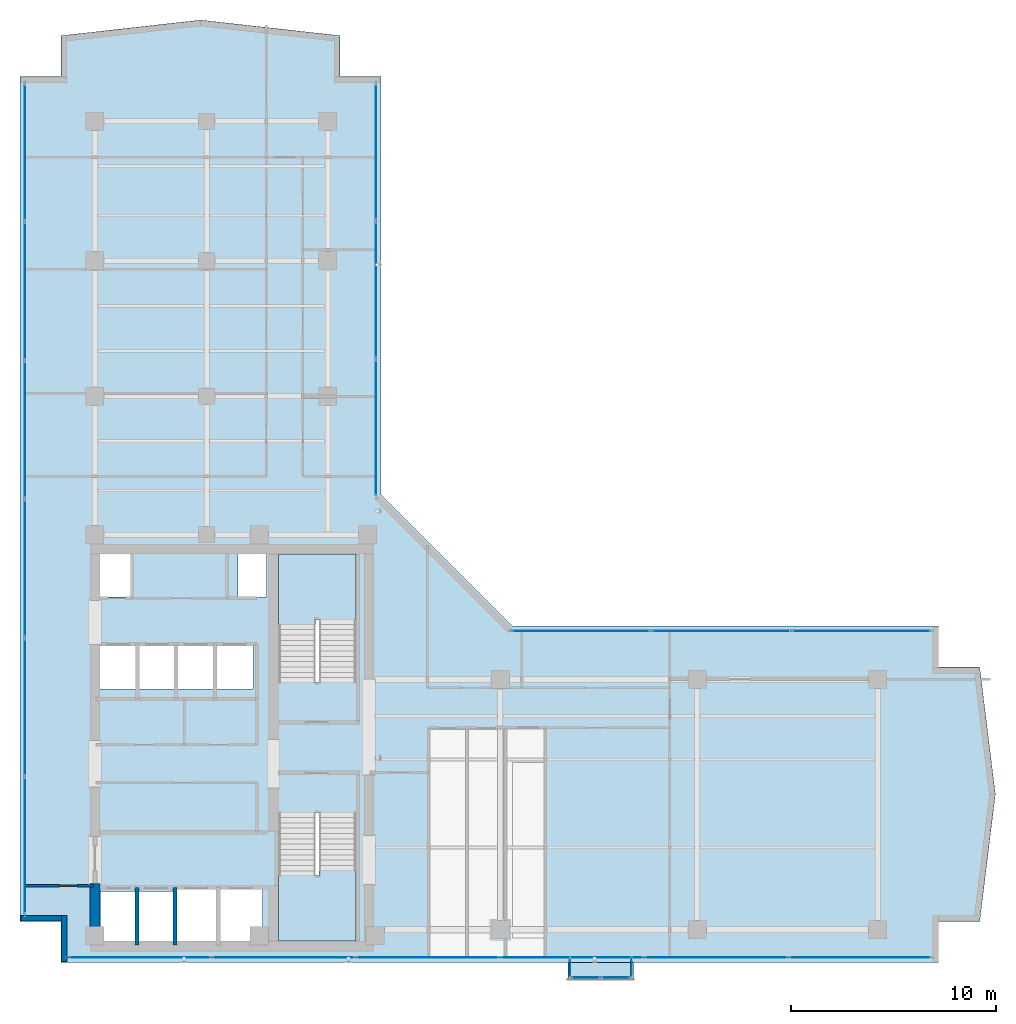
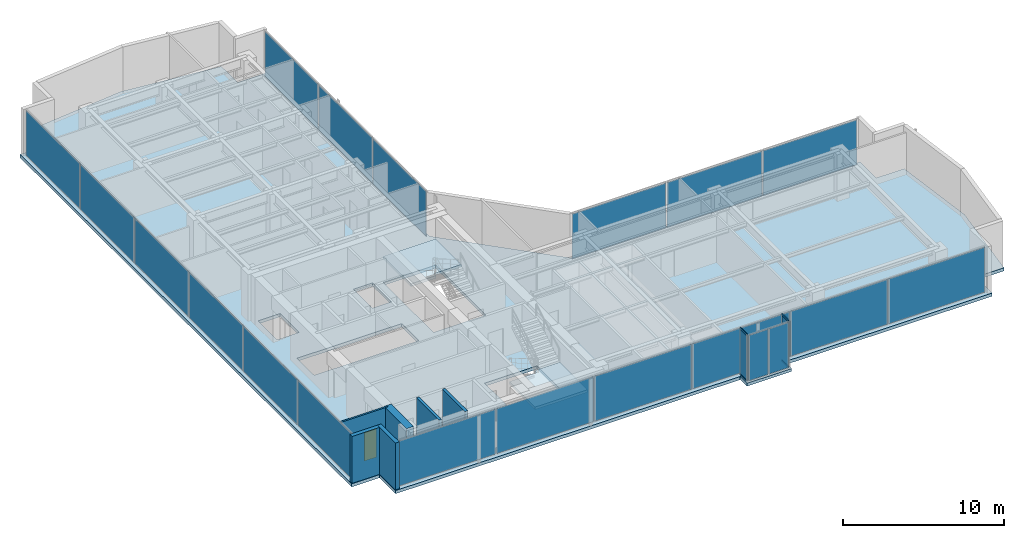
# One storey, part 16 of 22: 22 plates, 6 walls, 4 members, 4 slabs, 1 door, 1 opening, 9 elements without a shape of their own.
"""IFC4 building model written with IfcOpenShell, lengths in metres."""

from ifc_helpers import new_model, si_unit, direction, frame, frame_2d, origin, origin_with_axes, origin_2d, place, context, subcontext, project, spatial, polyline, rectangle, hollow_rectangle, outline, extrude, source, transform, mapped, material, layer, layer_set, material_profile, profile_set, type_object, element, fill, aggregate, save


model = new_model("IFC4")

# Units and contexts
model_context = context("Model", 3, precision=1e-05, world=origin(), true_north=direction((0.0, 1.0)))
body_context = subcontext(model_context, "Body", "Model", "MODEL_VIEW")
ifc_project = project(units=[si_unit("LENGTHUNIT", "METRE"), si_unit("AREAUNIT", "SQUARE_METRE"), si_unit("VOLUMEUNIT", "CUBIC_METRE"), si_unit("PLANEANGLEUNIT", "RADIAN"), si_unit("MASSUNIT", "GRAM", prefix="KILO")], contexts=[model_context])

# Site, building, storey
site_placement = place(None, origin())
site = spatial("IfcSite", under=ifc_project, at=site_placement, CompositionType="ELEMENT")
building_placement = place(site_placement, origin())
building = spatial("IfcBuilding", under=site, at=building_placement, Name="Kolvaren Waterfront Exchange", CompositionType="ELEMENT")
storey_placement = place(building_placement, frame((0.0, 0.0, 266.60009765625)))
storey = spatial("IfcBuildingStorey", under=building, at=storey_placement, Name="L68", CompositionType="ELEMENT", Elevation=266.60009765625)

# Curtain wall, members
ifc_material_1 = material(Name="Anodised bronze aluminium 6063-T6", Category="aluminium")
ifc_layer_1 = layer(ifc_material_1, 0.219970703125, Name="Anodised bronze aluminium 6063-T6")
ifc_layer_set_1 = layer_set([ifc_layer_1], Name="Anodised bronze aluminium 6063-T6")
curtain_wall_type_1 = type_object("IfcCurtainWallType", Name="ARC-CW-SYS3", PredefinedType="USERDEFINED", material=ifc_layer_set_1)
curtain_wall_1_placement = place(storey_placement, origin())
curtain_wall_1 = element("IfcCurtainWall", 1, at=curtain_wall_1_placement, inside=storey, type_object=curtain_wall_type_1, Name="L68 stick curtain wall CW3 (CW-L68-BOX-W)", ObjectType="STICK CURTAIN WALL", PredefinedType="USERDEFINED")
ifc_material_profile = material_profile(ifc_material_1, hollow_rectangle(XDim=0.06494140625, YDim=0.1298828125, WallThickness=0.00390625, at=origin_2d()), Name="ALU-TRN-130x65x4")
ifc_profile_set = profile_set([ifc_material_profile], Name="Anodised bronze aluminium 6063-T6")
member_type = type_object("IfcMemberType", Name="ARC-CWT-130", PredefinedType="USERDEFINED", material=ifc_profile_set)
shared_shape_1 = source(origin_with_axes(), body_context, "Body", "SweptSolid", [
    extrude(hollow_rectangle(XDim=0.06494140625, YDim=0.1298828125, WallThickness=0.00390625, at=origin_2d()), origin(), (0.0, 0.0, 1.0), 0.829833984375),
])
member_1_placement = place(storey_placement, frame((30.610107421875, 3.764892578125, 0.032470703125), z_axis=(0.0, -1.0, 0.0), x_axis=(1.0, 0.0, 0.0)))
member_1 = element("IfcMember", 2, at=member_1_placement, type_object=member_type, Name="CW3 transom 1.1", ObjectType="TRANSOM", PredefinedType="USERDEFINED", context=body_context, shape_type="MappedRepresentation", body=[
    mapped(shared_shape_1, transform((0.0, 0.0, 0.0), x_axis=(1.0, 0.0, 0.0), y_axis=(0.0, 1.0, 0.0), z_axis=(0.0, 0.0, 1.0), scale=1.0)),
])
member_2_placement = place(storey_placement, frame((30.610107421875, 3.764892578125, 3.52734375), z_axis=(0.0, -1.0, 0.0), x_axis=(1.0, 0.0, 0.0)))
member_2 = element("IfcMember", 3, at=member_2_placement, type_object=member_type, Name="CW3 transom 1.2", ObjectType="TRANSOM", PredefinedType="USERDEFINED", context=body_context, shape_type="MappedRepresentation", body=[
    mapped(shared_shape_1, transform((0.0, 0.0, 0.0), x_axis=(1.0, 0.0, 0.0), y_axis=(0.0, 1.0, 0.0), z_axis=(0.0, 0.0, 1.0), scale=1.0)),
])

curtain_wall_2_placement = place(storey_placement, origin())
curtain_wall_2 = element("IfcCurtainWall", 4, at=curtain_wall_2_placement, inside=storey, type_object=curtain_wall_type_1, Name="L68 stick curtain wall CW3 (CW-L68-BOX-E)", ObjectType="STICK CURTAIN WALL", PredefinedType="USERDEFINED")
member_3_placement = place(storey_placement, frame((33.590087890625, 2.93505859375, 0.032470703125), z_axis=(0.0, 1.0, 0.0), x_axis=(-1.0, 0.0, 0.0)))
member_3 = element("IfcMember", 5, at=member_3_placement, type_object=member_type, Name="CW3 transom 1.1", ObjectType="TRANSOM", PredefinedType="USERDEFINED", context=body_context, shape_type="MappedRepresentation", body=[
    mapped(shared_shape_1, transform((0.0, 0.0, 0.0), x_axis=(1.0, 0.0, 0.0), y_axis=(0.0, 1.0, 0.0), z_axis=(0.0, 0.0, 1.0), scale=1.0)),
])
member_4_placement = place(storey_placement, frame((33.590087890625, 2.93505859375, 3.52734375), z_axis=(0.0, 1.0, 0.0), x_axis=(-1.0, 0.0, 0.0)))
member_4 = element("IfcMember", 6, at=member_4_placement, type_object=member_type, Name="CW3 transom 1.2", ObjectType="TRANSOM", PredefinedType="USERDEFINED", context=body_context, shape_type="MappedRepresentation", body=[
    mapped(shared_shape_1, transform((0.0, 0.0, 0.0), x_axis=(1.0, 0.0, 0.0), y_axis=(0.0, 1.0, 0.0), z_axis=(0.0, 0.0, 1.0), scale=1.0)),
])

# Stair, slab
ifc_material_2 = material(Name="Concrete C40/50", Category="concrete")
stair_type = type_object("IfcStairType", Name="ARC-STAIR-3800", PredefinedType="HALF_TURN_STAIR", material=ifc_material_2)
stair_1_placement = place(storey_placement, origin())
stair_1 = element("IfcStair", 7, at=stair_1_placement, inside=storey, type_object=stair_type, Name="L68 Smoke-proof exit stair ST1", PredefinedType="HALF_TURN_STAIR")
ifc_layer_2 = layer(ifc_material_2, 0.199951171875, Name="Concrete C40/50")
ifc_layer_set_2 = layer_set([ifc_layer_2], Name="Concrete C40/50")
slab_type_1 = type_object("IfcSlabType", Name="STR-LANDING-200", PredefinedType="LANDING", material=ifc_layer_set_2)
slab_1_placement = place(storey_placement, frame((0.0, 0.0, 1.77587890625)))
slab_1 = element("IfcSlab", 8, at=slab_1_placement, type_object=slab_type_1, Name="ST1 landing 1", PredefinedType="LANDING", context=body_context, shape_type="SweptSolid", body=[
    extrude(outline(polyline([(16.39990234375, 7.840087890625), (16.39990234375, 4.64990234375), (20.159912109375, 4.64990234375), (20.159912109375, 8.10009765625), (18.360107421875, 8.10009765625), (18.360107421875, 7.840087890625), (16.39990234375, 7.840087890625)])), origin(), (0.0, 0.0, 1.0), 0.199951171875),
])
aggregate(stair_1, [slab_1])

stair_2_placement = place(storey_placement, origin())
stair_2 = element("IfcStair", 9, at=stair_2_placement, inside=storey, type_object=stair_type, Name="L68 Smoke-proof exit stair ST2", PredefinedType="HALF_TURN_STAIR")
slab_2_placement = place(storey_placement, frame((0.0, 0.0, 1.77587890625)))
slab_2 = element("IfcSlab", 10, at=slab_2_placement, type_object=slab_type_1, Name="ST2 landing 1", PredefinedType="LANDING", context=body_context, shape_type="SweptSolid", body=[
    extrude(outline(polyline([(20.159912109375, 20.31005859375), (20.159912109375, 23.5), (16.39990234375, 23.5), (16.39990234375, 20.050048828125), (18.199951171875, 20.050048828125), (18.199951171875, 20.31005859375), (20.159912109375, 20.31005859375)])), origin(), (0.0, 0.0, 1.0), 0.199951171875),
])
aggregate(stair_2, [slab_2])

# Slabs
ifc_layer_3 = layer(ifc_material_2, 0.239990234375, Name="Concrete C40/50")
ifc_layer_set_3 = layer_set([ifc_layer_3], Name="Concrete C40/50")
slab_type_2 = type_object("IfcSlabType", Name="STR-SLAB-240", PredefinedType="FLOOR", material=ifc_layer_set_3)
slab_3_placement = place(storey_placement, frame((0.0, 0.0, -0.239990234375)))
element("IfcSlab", 11, at=slab_3_placement, inside=storey, type_object=slab_type_2, Name="L68 structural floor slab", PredefinedType="FLOOR", context=body_context, shape_type="SweptSolid", body=[
    extrude(outline(polyline([(5.800048828125, 3.60009765625), (48.563232421875, 3.60009765625), (48.563232421875, 5.60009765625), (50.563232421875, 5.60009765625), (51.326416015625, 11.794921875), (50.563232421875, 17.989501953125), (48.563232421875, 17.989501953125), (48.563232421875, 19.989501953125), (27.78955078125, 19.989501953125), (21.389404296875, 26.389404296875), (21.389404296875, 46.76318359375), (19.389404296875, 46.76318359375), (19.389404296875, 48.76318359375), (12.5947265625, 49.5263671875), (5.800048828125, 48.76318359375), (5.800048828125, 46.76318359375), (3.800048828125, 46.76318359375), (3.800048828125, 5.60009765625), (5.800048828125, 5.60009765625), (5.800048828125, 3.60009765625)]), holes=[polyline([(11.320068359375, 7.260009765625), (15.610107421875, 7.260009765625), (15.610107421875, 4.5400390625), (7.719970703125, 4.5400390625), (7.719970703125, 7.06005859375), (11.320068359375, 7.06005859375), (11.320068359375, 7.260009765625)]), polyline([(20.159912109375, 10.89990234375), (20.159912109375, 4.64990234375), (16.39990234375, 4.64990234375), (16.39990234375, 10.89990234375), (20.159912109375, 10.89990234375)]), polyline([(7.669921875, 19.06005859375), (15.159912109375, 19.06005859375), (15.159912109375, 16.93994140625), (7.669921875, 16.93994140625), (7.669921875, 19.06005859375)]), polyline([(16.39990234375, 17.25), (16.39990234375, 23.5), (20.159912109375, 23.5), (20.159912109375, 17.25), (16.39990234375, 17.25)]), polyline([(7.60009765625, 23.780029296875), (9.179931640625, 23.780029296875), (9.179931640625, 21.419921875), (7.60009765625, 21.419921875), (7.60009765625, 23.780029296875)]), polyline([(14.419921875, 23.780029296875), (15.800048828125, 23.780029296875), (15.800048828125, 21.419921875), (14.419921875, 21.419921875), (14.419921875, 23.780029296875)])]), origin(), (0.0, 0.0, 1.0), 0.239990234375),
])
ifc_layer_4 = layer(ifc_material_2, 0.219970703125, Name="Concrete C40/50")
ifc_layer_set_4 = layer_set([ifc_layer_4], Name="Concrete C40/50")
slab_type_3 = type_object("IfcSlabType", Name="STR-TERR-220", PredefinedType="FLOOR", material=ifc_layer_set_4)
slab_4_placement = place(storey_placement, frame((0.0, 0.0, -0.22021484375)))
element("IfcSlab", 12, at=slab_4_placement, inside=storey, type_object=slab_type_3, Name="L68 projecting bay-box floor strip", PredefinedType="FLOOR", context=body_context, shape_type="SweptSolid", body=[
    extrude(outline(polyline([(30.5, 2.75), (33.699951171875, 2.75), (33.699951171875, 3.60009765625), (30.5, 3.60009765625), (30.5, 2.75)])), origin(), (0.0, 0.0, 1.0), 0.22021484375),
])

# Plate
ifc_material_3 = material(Name="Bronze tinted bay-box vision glass", Category="aluminium")
ifc_layer_5 = layer(ifc_material_3, 0.02392578125, Name="Bronze tinted bay-box vision glass")
ifc_layer_set_5 = layer_set([ifc_layer_5], Name="Bronze tinted bay-box vision glass")
plate_type_1 = type_object("IfcPlateType", Name="ARC-CWP-24", PredefinedType="CURTAIN_PANEL", material=ifc_layer_set_5)
shared_shape_2 = source(origin_with_axes(), body_context, "Body", "SweptSolid", [
    extrude(rectangle(XDim=0.830078125, YDim=0.02392578125, at=origin_2d()), origin(), (0.0, 0.0, 1.0), 3.429931640625),
])
plate_1_placement = place(storey_placement, frame((30.610107421875, 3.35009765625, 0.06494140625), z_axis=(0.0, 0.0, 1.0), x_axis=(0.0, -1.0, 0.0)))
plate_1 = element("IfcPlate", 13, at=plate_1_placement, type_object=plate_type_1, Name="CW3 panel 1.1", PredefinedType="CURTAIN_PANEL", context=body_context, shape_type="MappedRepresentation", body=[
    mapped(shared_shape_2, transform((0.0, 0.0, 0.0), x_axis=(1.0, 0.0, 0.0), y_axis=(0.0, 1.0, 0.0), z_axis=(0.0, 0.0, 1.0), scale=1.0)),
])

aggregate(curtain_wall_1, [member_1, member_2, plate_1])

plate_2_placement = place(storey_placement, frame((33.590087890625, 3.35009765625, 0.06494140625), z_axis=(0.0, 0.0, 1.0), x_axis=(0.0, 1.0, 0.0)))
plate_2 = element("IfcPlate", 14, at=plate_2_placement, type_object=plate_type_1, Name="CW3 panel 1.1", PredefinedType="CURTAIN_PANEL", context=body_context, shape_type="MappedRepresentation", body=[
    mapped(shared_shape_2, transform((0.0, 0.0, 0.0), x_axis=(1.0, 0.0, 0.0), y_axis=(0.0, 1.0, 0.0), z_axis=(0.0, 0.0, 1.0), scale=1.0)),
])

aggregate(curtain_wall_2, [member_3, member_4, plate_2])

# Curtain wall, plates
curtain_wall_3_placement = place(storey_placement, origin())
curtain_wall_3 = element("IfcCurtainWall", 15, at=curtain_wall_3_placement, inside=storey, type_object=curtain_wall_type_1, Name="L68 stick curtain wall CW3 (CW-L68-BOX)", ObjectType="STICK CURTAIN WALL", PredefinedType="USERDEFINED")
shared_shape_3 = source(origin_with_axes(), body_context, "Body", "SweptSolid", [
    extrude(rectangle(XDim=1.37744140625, YDim=0.02392578125, at=origin_2d()), origin(), (0.0, 0.0, 1.0), 3.429931640625),
])
plate_3_placement = place(storey_placement, frame((31.373779296875, 2.860107421875, 0.06494140625), z_axis=(0.0, 0.0, 1.0), x_axis=(1.0, 0.0, 0.0)))
plate_3 = element("IfcPlate", 16, at=plate_3_placement, type_object=plate_type_1, Name="CW3 panel 1.1", PredefinedType="CURTAIN_PANEL", context=body_context, shape_type="MappedRepresentation", body=[
    mapped(shared_shape_3, transform((0.0, 0.0, 0.0), x_axis=(1.0, 0.0, 0.0), y_axis=(0.0, 1.0, 0.0), z_axis=(0.0, 0.0, 1.0), scale=1.0)),
])
plate_4_placement = place(storey_placement, frame((32.826171875, 2.860107421875, 0.06494140625), z_axis=(0.0, 0.0, 1.0), x_axis=(1.0, 0.0, 0.0)))
plate_4 = element("IfcPlate", 17, at=plate_4_placement, type_object=plate_type_1, Name="CW3 panel 2.1", PredefinedType="CURTAIN_PANEL", context=body_context, shape_type="MappedRepresentation", body=[
    mapped(shared_shape_3, transform((0.0, 0.0, 0.0), x_axis=(1.0, 0.0, 0.0), y_axis=(0.0, 1.0, 0.0), z_axis=(0.0, 0.0, 1.0), scale=1.0)),
])
aggregate(curtain_wall_3, [plate_3, plate_4])

ifc_layer_6 = layer(ifc_material_1, 0.219970703125, Name="Anodised bronze aluminium 6063-T6")
ifc_layer_set_6 = layer_set([ifc_layer_6], Name="Anodised bronze aluminium 6063-T6")
curtain_wall_type_2 = type_object("IfcCurtainWallType", Name="ARC-CW-SYS1", PredefinedType="USERDEFINED", material=ifc_layer_set_6)
curtain_wall_4_placement = place(storey_placement, origin())
curtain_wall_4 = element("IfcCurtainWall", 18, at=curtain_wall_4_placement, inside=storey, type_object=curtain_wall_type_2, Name="L68 stick curtain wall CW1 (CW-L68-S)", ObjectType="STICK CURTAIN WALL", PredefinedType="USERDEFINED")
ifc_material_4 = material(Name="Bronze solar control vision glass", Category="aluminium")
ifc_layer_7 = layer(ifc_material_4, 0.028076171875, Name="Bronze solar control vision glass")
ifc_layer_set_7 = layer_set([ifc_layer_7], Name="Bronze solar control vision glass")
plate_type_2 = type_object("IfcPlateType", Name="ARC-CWP-28", PredefinedType="CURTAIN_PANEL", material=ifc_layer_set_7)
shared_shape_4 = source(origin_with_axes(), body_context, "Body", "SweptSolid", [
    extrude(rectangle(XDim=6.9072265625, YDim=0.028076171875, at=origin_2d()), origin(), (0.0, 0.0, 1.0), 3.409912109375),
])
plate_5_placement = place(storey_placement, frame((9.633544921875, 3.840087890625, 0.07470703125), z_axis=(0.0, 0.0, 1.0), x_axis=(1.0, 0.0, 0.0)))
plate_5 = element("IfcPlate", 19, at=plate_5_placement, type_object=plate_type_2, Name="CW1 panel 1.1", PredefinedType="CURTAIN_PANEL", context=body_context, shape_type="MappedRepresentation", body=[
    mapped(shared_shape_4, transform((0.0, 0.0, 0.0), x_axis=(1.0, 0.0, 0.0), y_axis=(0.0, 1.0, 0.0), z_axis=(0.0, 0.0, 1.0), scale=1.0)),
])
plate_6_placement = place(storey_placement, frame((44.7294921875, 3.840087890625, 0.07470703125), z_axis=(0.0, 0.0, 1.0), x_axis=(1.0, 0.0, 0.0)))
plate_6 = element("IfcPlate", 20, at=plate_6_placement, type_object=plate_type_2, Name="CW1 panel 6.1", PredefinedType="CURTAIN_PANEL", context=body_context, shape_type="MappedRepresentation", body=[
    mapped(shared_shape_4, transform((0.0, 0.0, 0.0), x_axis=(1.0, 0.0, 0.0), y_axis=(0.0, 1.0, 0.0), z_axis=(0.0, 0.0, 1.0), scale=1.0)),
])
shared_shape_5 = source(origin_with_axes(), body_context, "Body", "SweptSolid", [
    extrude(rectangle(XDim=6.947265625, YDim=0.028076171875, at=origin_2d()), origin(), (0.0, 0.0, 1.0), 3.409912109375),
])
plate_7_placement = place(storey_placement, frame((16.640869140625, 3.840087890625, 0.07470703125), z_axis=(0.0, 0.0, 1.0), x_axis=(1.0, 0.0, 0.0)))
plate_7 = element("IfcPlate", 21, at=plate_7_placement, type_object=plate_type_2, Name="CW1 panel 2.1", PredefinedType="CURTAIN_PANEL", context=body_context, shape_type="MappedRepresentation", body=[
    mapped(shared_shape_5, transform((0.0, 0.0, 0.0), x_axis=(1.0, 0.0, 0.0), y_axis=(0.0, 1.0, 0.0), z_axis=(0.0, 0.0, 1.0), scale=1.0)),
])
plate_8_placement = place(storey_placement, frame((23.66796875, 3.840087890625, 0.07470703125), z_axis=(0.0, 0.0, 1.0), x_axis=(1.0, 0.0, 0.0)))
plate_8 = element("IfcPlate", 22, at=plate_8_placement, type_object=plate_type_2, Name="CW1 panel 3.1", PredefinedType="CURTAIN_PANEL", context=body_context, shape_type="MappedRepresentation", body=[
    mapped(shared_shape_5, transform((0.0, 0.0, 0.0), x_axis=(1.0, 0.0, 0.0), y_axis=(0.0, 1.0, 0.0), z_axis=(0.0, 0.0, 1.0), scale=1.0)),
])
plate_9_placement = place(storey_placement, frame((30.6953125, 3.840087890625, 0.07470703125), z_axis=(0.0, 0.0, 1.0), x_axis=(1.0, 0.0, 0.0)))
plate_9 = element("IfcPlate", 23, at=plate_9_placement, type_object=plate_type_2, Name="CW1 panel 4.1", PredefinedType="CURTAIN_PANEL", context=body_context, shape_type="MappedRepresentation", body=[
    mapped(shared_shape_5, transform((0.0, 0.0, 0.0), x_axis=(1.0, 0.0, 0.0), y_axis=(0.0, 1.0, 0.0), z_axis=(0.0, 0.0, 1.0), scale=1.0)),
])
plate_10_placement = place(storey_placement, frame((37.722412109375, 3.840087890625, 0.07470703125), z_axis=(0.0, 0.0, 1.0), x_axis=(1.0, 0.0, 0.0)))
plate_10 = element("IfcPlate", 24, at=plate_10_placement, type_object=plate_type_2, Name="CW1 panel 5.1", PredefinedType="CURTAIN_PANEL", context=body_context, shape_type="MappedRepresentation", body=[
    mapped(shared_shape_5, transform((0.0, 0.0, 0.0), x_axis=(1.0, 0.0, 0.0), y_axis=(0.0, 1.0, 0.0), z_axis=(0.0, 0.0, 1.0), scale=1.0)),
])
aggregate(curtain_wall_4, [plate_5, plate_7, plate_8, plate_9, plate_10, plate_6])

ifc_material_5 = material(Name="Anodised aluminium 6063-T6", Category="aluminium")
ifc_layer_8 = layer(ifc_material_5, 0.219970703125, Name="Anodised aluminium 6063-T6")
ifc_layer_set_8 = layer_set([ifc_layer_8], Name="Anodised aluminium 6063-T6")
curtain_wall_type_3 = type_object("IfcCurtainWallType", Name="ARC-CW-SYS2", PredefinedType="USERDEFINED", material=ifc_layer_set_8)
curtain_wall_5_placement = place(storey_placement, origin())
curtain_wall_5 = element("IfcCurtainWall", 25, at=curtain_wall_5_placement, inside=storey, type_object=curtain_wall_type_3, Name="L68 stick curtain wall CW2 (CW-L68-W)", ObjectType="STICK CURTAIN WALL", PredefinedType="USERDEFINED")
ifc_material_6 = material(Name="Acoustic laminated vision glass", Category="glass")
ifc_layer_9 = layer(ifc_material_6, 0.031982421875, Name="Acoustic laminated vision glass")
ifc_layer_set_9 = layer_set([ifc_layer_9], Name="Acoustic laminated vision glass")
plate_type_3 = type_object("IfcPlateType", Name="ARC-CWP-32", PredefinedType="CURTAIN_PANEL", material=ifc_layer_set_9)
shared_shape_6 = source(origin_with_axes(), body_context, "Body", "SweptSolid", [
    extrude(rectangle(XDim=6.640625, YDim=0.031982421875, at=origin_2d()), origin(), (0.0, 0.0, 1.0), 3.409912109375),
])
plate_11_placement = place(storey_placement, frame((4.0400390625, 9.30029296875, 0.07470703125), z_axis=(0.0, 0.0, 1.0), x_axis=(0.0, 1.0, 0.0)))
plate_11 = element("IfcPlate", 26, at=plate_11_placement, type_object=plate_type_3, Name="CW2 panel 1.1", PredefinedType="CURTAIN_PANEL", context=body_context, shape_type="MappedRepresentation", body=[
    mapped(shared_shape_6, transform((0.0, 0.0, 0.0), x_axis=(1.0, 0.0, 0.0), y_axis=(0.0, 1.0, 0.0), z_axis=(0.0, 0.0, 1.0), scale=1.0)),
])
plate_12_placement = place(storey_placement, frame((4.0400390625, 43.06298828125, 0.07470703125), z_axis=(0.0, 0.0, 1.0), x_axis=(0.0, 1.0, 0.0)))
plate_12 = element("IfcPlate", 27, at=plate_12_placement, type_object=plate_type_3, Name="CW2 panel 6.1", PredefinedType="CURTAIN_PANEL", context=body_context, shape_type="MappedRepresentation", body=[
    mapped(shared_shape_6, transform((0.0, 0.0, 0.0), x_axis=(1.0, 0.0, 0.0), y_axis=(0.0, 1.0, 0.0), z_axis=(0.0, 0.0, 1.0), scale=1.0)),
])
shared_shape_7 = source(origin_with_axes(), body_context, "Body", "SweptSolid", [
    extrude(rectangle(XDim=6.680419921875, YDim=0.031982421875, at=origin_2d()), origin(), (0.0, 0.0, 1.0), 3.409912109375),
])
plate_13_placement = place(storey_placement, frame((4.0400390625, 16.040771484375, 0.07470703125), z_axis=(0.0, 0.0, 1.0), x_axis=(0.0, 1.0, 0.0)))
plate_13 = element("IfcPlate", 28, at=plate_13_placement, type_object=plate_type_3, Name="CW2 panel 2.1", PredefinedType="CURTAIN_PANEL", context=body_context, shape_type="MappedRepresentation", body=[
    mapped(shared_shape_7, transform((0.0, 0.0, 0.0), x_axis=(1.0, 0.0, 0.0), y_axis=(0.0, 1.0, 0.0), z_axis=(0.0, 0.0, 1.0), scale=1.0)),
])
plate_14_placement = place(storey_placement, frame((4.0400390625, 22.80126953125, 0.07470703125), z_axis=(0.0, 0.0, 1.0), x_axis=(0.0, 1.0, 0.0)))
plate_14 = element("IfcPlate", 29, at=plate_14_placement, type_object=plate_type_3, Name="CW2 panel 3.1", PredefinedType="CURTAIN_PANEL", context=body_context, shape_type="MappedRepresentation", body=[
    mapped(shared_shape_7, transform((0.0, 0.0, 0.0), x_axis=(1.0, 0.0, 0.0), y_axis=(0.0, 1.0, 0.0), z_axis=(0.0, 0.0, 1.0), scale=1.0)),
])
plate_15_placement = place(storey_placement, frame((4.0400390625, 29.561767578125, 0.07470703125), z_axis=(0.0, 0.0, 1.0), x_axis=(0.0, 1.0, 0.0)))
plate_15 = element("IfcPlate", 30, at=plate_15_placement, type_object=plate_type_3, Name="CW2 panel 4.1", PredefinedType="CURTAIN_PANEL", context=body_context, shape_type="MappedRepresentation", body=[
    mapped(shared_shape_7, transform((0.0, 0.0, 0.0), x_axis=(1.0, 0.0, 0.0), y_axis=(0.0, 1.0, 0.0), z_axis=(0.0, 0.0, 1.0), scale=1.0)),
])
plate_16_placement = place(storey_placement, frame((4.0400390625, 36.322509765625, 0.07470703125), z_axis=(0.0, 0.0, 1.0), x_axis=(0.0, 1.0, 0.0)))
plate_16 = element("IfcPlate", 31, at=plate_16_placement, type_object=plate_type_3, Name="CW2 panel 5.1", PredefinedType="CURTAIN_PANEL", context=body_context, shape_type="MappedRepresentation", body=[
    mapped(shared_shape_7, transform((0.0, 0.0, 0.0), x_axis=(1.0, 0.0, 0.0), y_axis=(0.0, 1.0, 0.0), z_axis=(0.0, 0.0, 1.0), scale=1.0)),
])
aggregate(curtain_wall_5, [plate_11, plate_13, plate_14, plate_15, plate_16, plate_12])

curtain_wall_6_placement = place(storey_placement, origin())
curtain_wall_6 = element("IfcCurtainWall", 32, at=curtain_wall_6_placement, inside=storey, type_object=curtain_wall_type_2, Name="L68 stick curtain wall CW1 (CW-L68-NE)", ObjectType="STICK CURTAIN WALL", PredefinedType="USERDEFINED")
shared_shape_8 = source(origin_with_axes(), body_context, "Body", "SweptSolid", [
    extrude(rectangle(XDim=6.60791015625, YDim=0.028076171875, at=origin_2d()), origin(), (0.0, 0.0, 1.0), 3.409912109375),
])
plate_17_placement = place(storey_placement, frame((21.1494140625, 29.663330078125, 0.07470703125), z_axis=(0.0, 0.0, 1.0), x_axis=(0.0, 1.0, 0.0)))
plate_17 = element("IfcPlate", 33, at=plate_17_placement, type_object=plate_type_2, Name="CW1 panel 1.1", PredefinedType="CURTAIN_PANEL", context=body_context, shape_type="MappedRepresentation", body=[
    mapped(shared_shape_8, transform((0.0, 0.0, 0.0), x_axis=(1.0, 0.0, 0.0), y_axis=(0.0, 1.0, 0.0), z_axis=(0.0, 0.0, 1.0), scale=1.0)),
])
plate_18_placement = place(storey_placement, frame((21.1494140625, 43.079345703125, 0.07470703125), z_axis=(0.0, 0.0, 1.0), x_axis=(0.0, 1.0, 0.0)))
plate_18 = element("IfcPlate", 34, at=plate_18_placement, type_object=plate_type_2, Name="CW1 panel 3.1", PredefinedType="CURTAIN_PANEL", context=body_context, shape_type="MappedRepresentation", body=[
    mapped(shared_shape_8, transform((0.0, 0.0, 0.0), x_axis=(1.0, 0.0, 0.0), y_axis=(0.0, 1.0, 0.0), z_axis=(0.0, 0.0, 1.0), scale=1.0)),
])
shared_shape_9 = source(origin_with_axes(), body_context, "Body", "SweptSolid", [
    extrude(rectangle(XDim=6.64794921875, YDim=0.028076171875, at=origin_2d()), origin(), (0.0, 0.0, 1.0), 3.409912109375),
])
plate_19_placement = place(storey_placement, frame((21.1494140625, 36.371337890625, 0.07470703125), z_axis=(0.0, 0.0, 1.0), x_axis=(0.0, 1.0, 0.0)))
plate_19 = element("IfcPlate", 35, at=plate_19_placement, type_object=plate_type_2, Name="CW1 panel 2.1", PredefinedType="CURTAIN_PANEL", context=body_context, shape_type="MappedRepresentation", body=[
    mapped(shared_shape_9, transform((0.0, 0.0, 0.0), x_axis=(1.0, 0.0, 0.0), y_axis=(0.0, 1.0, 0.0), z_axis=(0.0, 0.0, 1.0), scale=1.0)),
])
aggregate(curtain_wall_6, [plate_17, plate_19, plate_18])

curtain_wall_7_placement = place(storey_placement, origin())
curtain_wall_7 = element("IfcCurtainWall", 36, at=curtain_wall_7_placement, inside=storey, type_object=curtain_wall_type_2, Name="L68 stick curtain wall CW1 (CW-L68-EN)", ObjectType="STICK CURTAIN WALL", PredefinedType="USERDEFINED")
shared_shape_10 = source(origin_with_axes(), body_context, "Body", "SweptSolid", [
    extrude(rectangle(XDim=6.7412109375, YDim=0.028076171875, at=origin_2d()), origin(), (0.0, 0.0, 1.0), 3.409912109375),
])
plate_20_placement = place(storey_placement, frame((31.130126953125, 19.74951171875, 0.07470703125), z_axis=(0.0, 0.0, 1.0), x_axis=(1.0, 0.0, 0.0)))
plate_20 = element("IfcPlate", 37, at=plate_20_placement, type_object=plate_type_2, Name="CW1 panel 1.1", PredefinedType="CURTAIN_PANEL", context=body_context, shape_type="MappedRepresentation", body=[
    mapped(shared_shape_10, transform((0.0, 0.0, 0.0), x_axis=(1.0, 0.0, 0.0), y_axis=(0.0, 1.0, 0.0), z_axis=(0.0, 0.0, 1.0), scale=1.0)),
])
plate_21_placement = place(storey_placement, frame((44.8125, 19.74951171875, 0.07470703125), z_axis=(0.0, 0.0, 1.0), x_axis=(1.0, 0.0, 0.0)))
plate_21 = element("IfcPlate", 38, at=plate_21_placement, type_object=plate_type_2, Name="CW1 panel 3.1", PredefinedType="CURTAIN_PANEL", context=body_context, shape_type="MappedRepresentation", body=[
    mapped(shared_shape_10, transform((0.0, 0.0, 0.0), x_axis=(1.0, 0.0, 0.0), y_axis=(0.0, 1.0, 0.0), z_axis=(0.0, 0.0, 1.0), scale=1.0)),
])
shared_shape_11 = source(origin_with_axes(), body_context, "Body", "SweptSolid", [
    extrude(rectangle(XDim=6.78125, YDim=0.028076171875, at=origin_2d()), origin(), (0.0, 0.0, 1.0), 3.409912109375),
])
plate_22_placement = place(storey_placement, frame((37.971435546875, 19.74951171875, 0.07470703125), z_axis=(0.0, 0.0, 1.0), x_axis=(1.0, 0.0, 0.0)))
plate_22 = element("IfcPlate", 39, at=plate_22_placement, type_object=plate_type_2, Name="CW1 panel 2.1", PredefinedType="CURTAIN_PANEL", context=body_context, shape_type="MappedRepresentation", body=[
    mapped(shared_shape_11, transform((0.0, 0.0, 0.0), x_axis=(1.0, 0.0, 0.0), y_axis=(0.0, 1.0, 0.0), z_axis=(0.0, 0.0, 1.0), scale=1.0)),
])
aggregate(curtain_wall_7, [plate_20, plate_22, plate_21])

# Walls
ifc_material_7 = material(Name="Precast concrete C40/50", Category="concrete")
ifc_layer_10 = layer(ifc_material_7, 0.280029296875, Name="Precast concrete C40/50")
ifc_layer_set_10 = layer_set([ifc_layer_10], Name="Precast concrete C40/50")
wall_type_1 = type_object("IfcWallType", Name="ARC-EXT-TERR-280", PredefinedType="SOLIDWALL", material=ifc_layer_set_10)
wall_1_placement = place(storey_placement, frame((5.9599609375, 3.659912109375, 0.0), z_axis=(0.0, 0.0, 1.0), x_axis=(0.0, 1.0, 0.0)))
element("IfcWall", 40, at=wall_1_placement, inside=storey, type_object=wall_type_1, Name="L68 notched corner spandrel pier SW-A", PredefinedType="SOLIDWALL", context=body_context, shape_type="SweptSolid", body=[
    extrude(rectangle(XDim=2.239990234375, YDim=0.280029296875, at=frame_2d((1.1201171875, 0.0))), origin(), (0.0, 0.0, 1.0), 3.559814453125),
])
wall_2_placement = place(storey_placement, frame((3.860107421875, 5.760009765625, 0.0), z_axis=(0.0, 0.0, 1.0), x_axis=(1.0, 0.0, 0.0)))
element("IfcWall", 41, at=wall_2_placement, inside=storey, type_object=wall_type_1, Name="L68 notched corner spandrel pier SW-B", PredefinedType="SOLIDWALL", context=body_context, shape_type="SweptSolid", body=[
    extrude(rectangle(XDim=1.9599609375, YDim=0.280029296875, at=frame_2d((0.97998046875, 0.0))), origin(), (0.0, 0.0, 1.0), 3.559814453125),
])

# Wall, opening, door
ifc_material_8 = material(Name="Acoustic gypsum steel stud", Category="steel")
ifc_layer_11 = layer(ifc_material_8, 0.125, Name="Acoustic gypsum steel stud")
ifc_layer_set_11 = layer_set([ifc_layer_11], Name="Acoustic gypsum steel stud")
wall_type_2 = type_object("IfcWallType", Name="ARC-PART-125", PredefinedType="PARTITIONING", material=ifc_layer_set_11)
wall_3_placement = place(storey_placement, frame((4.0400390625, 7.35009765625, 0.0), z_axis=(0.0, 0.0, 1.0), x_axis=(1.0, 0.0, 0.0)))
wall_3 = element("IfcWall", 42, at=wall_3_placement, inside=storey, type_object=wall_type_2, Name="L68 interior wall PW-L68-SWC-N", PredefinedType="PARTITIONING", context=body_context, shape_type="SweptSolid", body=[
    extrude(rectangle(XDim=3.35986328125, YDim=0.125, at=frame_2d((1.679931640625, 0.0))), origin(), (0.0, 0.0, 1.0), 3.559814453125),
])
opening_placement = place(wall_3_placement, frame((1.686767578125, 0.0, 0.0)))
opening = element("IfcOpeningElement", 43, at=opening_placement, cuts=wall_3, Name="Opening D01", PredefinedType="OPENING", context=body_context, shape_type="SweptSolid", body=[
    extrude(rectangle(XDim=0.85009765625, YDim=2.14990234375, at=frame_2d((0.425048828125, 1.074951171875))), frame((0.0, 0.072509765625, 0.0), z_axis=(0.0, -1.0, 0.0), x_axis=(1.0, 0.0, 0.0)), (0.0, 0.0, 1.0), 0.14501953125),
])
ifc_material_9 = material(Name="Oak veneer timber leaf", Category="wood")
door_type = type_object("IfcDoorType", Name="ARC-DR-900", OperationType="NOTDEFINED", PredefinedType="DOOR", material=ifc_material_9)
door_placement = place(opening_placement, origin())
door = element("IfcDoor", 44, at=door_placement, inside=storey, type_object=door_type, Name="L68 door DR-L68-SWC-D (D01)", OperationType="SINGLE_SWING_RIGHT", OverallHeight=2.14990234375, OverallWidth=0.85009765625, PredefinedType="DOOR", context=body_context, shape_type="SweptSolid", body=[
    extrude(rectangle(XDim=0.85009765625, YDim=2.14990234375, at=frame_2d((0.425048828125, 1.074951171875))), frame((0.0, 0.02490234375, 0.0), z_axis=(0.0, -1.0, 0.0), x_axis=(1.0, 0.0, 0.0)), (0.0, 0.0, 1.0), 0.050048828125),
])
fill(opening, door)

# Walls
ifc_layer_12 = layer(ifc_material_2, 0.199951171875, Name="Concrete C40/50")
ifc_layer_set_12 = layer_set([ifc_layer_12], Name="Concrete C40/50")
wall_type_3 = type_object("IfcWallType", Name="ARC-SHAFT-200", PredefinedType="PARTITIONING", material=ifc_layer_set_12)
for number, where, z_axis, x_axis, name in (
    (45, (9.5, 4.449951171875, 0.0), (0.0, 0.0, 1.0), (0.0, 1.0, 0.0), "L68 interior wall PW-L68-SH1-DIV-95"),
    (46, (11.360107421875, 4.449951171875, 0.0), (0.0, 0.0, 1.0), (0.0, 1.0, 0.0), "L68 interior wall PW-L68-SH1-DIV-113"),
):
    element("IfcWall", number, at=place(storey_placement, frame(where, z_axis=z_axis, x_axis=x_axis)), inside=storey, type_object=wall_type_3, Name=name, PredefinedType="PARTITIONING", context=body_context, shape_type="SweptSolid", body=[
        extrude(rectangle(XDim=2.800048828125, YDim=0.199951171875, at=frame_2d((1.39990234375, 0.0))), origin(), (0.0, 0.0, 1.0), 3.559814453125),
    ])
ifc_material_10 = material(Name="Concrete C50/60", Category="concrete")
ifc_layer_13 = layer(ifc_material_10, 0.5, Name="Concrete C50/60")
ifc_layer_set_13 = layer_set([ifc_layer_13], Name="Concrete C50/60")
wall_type_4 = type_object("IfcWallType", Name="STR-CWALL-500", PredefinedType="SHEAR", material=ifc_layer_set_13)
wall_4_placement = place(storey_placement, frame((7.449951171875, 4.64990234375, 0.0), z_axis=(0.0, 0.0, 1.0), x_axis=(0.0, 1.0, 0.0)))
element("IfcWall", 47, at=wall_4_placement, inside=storey, type_object=wall_type_4, Name="L68 rear-core shear wall W1", PredefinedType="SHEAR", context=body_context, shape_type="SweptSolid", body=[
    extrude(rectangle(XDim=2.800048828125, YDim=0.5, at=frame_2d((1.39990234375, 0.0))), origin(), (0.0, 0.0, 1.0), 3.559814453125),
])

save(model, "model.ifc")
